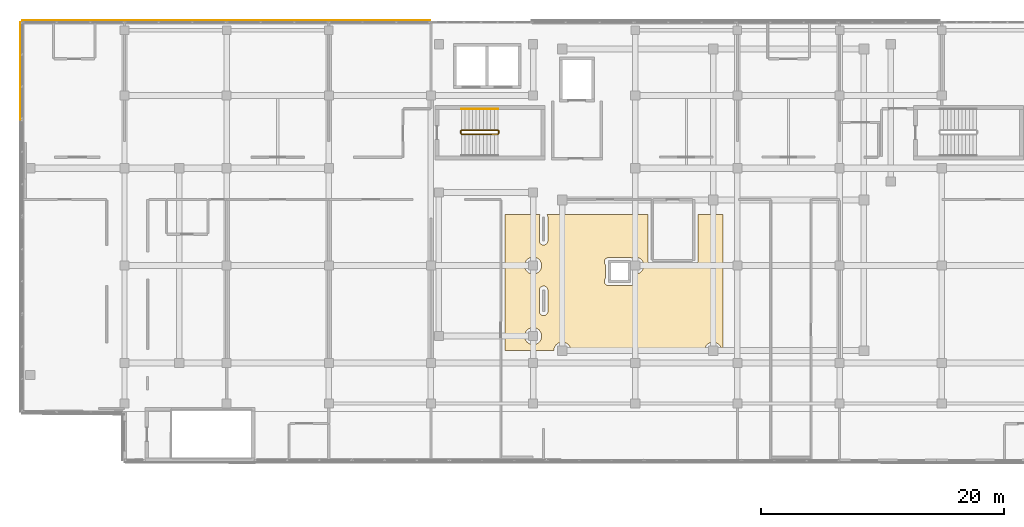
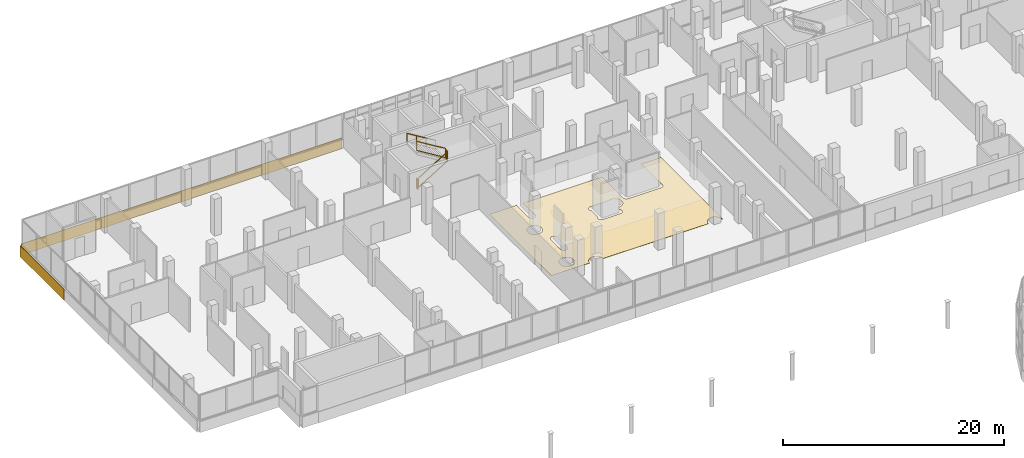
# One storey, part 96 of 101: 6 coverings, 5 railings.
"""IFC4 building model written with IfcOpenShell, lengths in metres."""

import ifcopenshell
import ifcopenshell.guid

model = None  # the IFC model being written
_history = None  # IfcOwnerHistory: only IFC2X3 demands one
_inside = {}  # id of a spatial element -> (the spatial element, [elements in it])
_under = {}  # id of a project, library or spatial element -> (it, [spatial elements below it])
_declared = {}  # id of a project -> (the project, [libraries it declares])
_typed = {}  # id of a type object -> (the type object, [elements of that type])
_made_of = {}  # id of a material, layer set ... -> (it, [elements and type objects made of it])


def new_model(schema):
    """Start an empty IFC model of exactly this schema.

    Asked for "IFC4X3", IfcOpenShell would pick the latest addendum, in which some entities
    have other attributes; the version numbers below select the first issue.
    IFC2X3 requires an IfcOwnerHistory on every rooted entity: one is made here for all.
    """
    global model, _history
    if schema == "IFC4X3":
        model = ifcopenshell.file(schema_version=(4, 3, 0, 0))
    else:
        model = ifcopenshell.file(schema=schema)
    _inside.clear()
    _under.clear()
    _declared.clear()
    _typed.clear()
    _made_of.clear()
    _history = None
    if model.schema == "IFC2X3":
        org = make("IfcOrganization", Name="unknown")
        user = make(
            "IfcPersonAndOrganization",
            ThePerson=make("IfcPerson", FamilyName="unknown"),
            TheOrganization=org,
        )
        app = make(
            "IfcApplication",
            ApplicationDeveloper=org,
            Version="unknown",
            ApplicationFullName="unknown",
            ApplicationIdentifier="unknown",
        )
        _history = make(
            "IfcOwnerHistory",
            OwningUser=user,
            OwningApplication=app,
            ChangeAction="ADDED",
            CreationDate=0,
        )
    return model


def make(cls, **values):
    """One entity of the class cls with the attributes given. An attribute that is None is left unset."""
    return model.create_entity(
        cls, **{name: value for name, value in values.items() if value is not None}
    )


def rooted(cls, **values):
    """An entity with a GlobalId (a new one), such as an element, a storey or a relation."""
    return make(cls, GlobalId=ifcopenshell.guid.new(), OwnerHistory=_history, **values)


def si_unit(unit_type, name, prefix=None):
    """IfcSIUnit, for example si_unit("LENGTHUNIT", "METRE", prefix="MILLI")."""
    return make("IfcSIUnit", UnitType=unit_type, Prefix=prefix, Name=name)


def assignment(units):
    """IfcUnitAssignment: the units of a project."""
    return None if units is None else make("IfcUnitAssignment", Units=units)


def point(xyz):
    """IfcCartesianPoint."""
    return None if xyz is None else make("IfcCartesianPoint", Coordinates=xyz)


def direction(xyz):
    """IfcDirection."""
    return None if xyz is None else make("IfcDirection", DirectionRatios=xyz)


def frame(location, z_axis=None, x_axis=None):
    """IfcAxis2Placement3D, a coordinate frame: its origin and axes. An axis left out is left unset."""
    return make(
        "IfcAxis2Placement3D",
        Location=point(location),
        Axis=direction(z_axis),
        RefDirection=direction(x_axis),
    )


def frame_2d(location, x_axis=None):
    """IfcAxis2Placement2D, a coordinate frame in the plane: its origin and x axis."""
    return make(
        "IfcAxis2Placement2D", Location=point(location), RefDirection=direction(x_axis)
    )


def origin():
    """The frame at (0, 0, 0) with its axes left unset."""
    return frame((0.0, 0.0, 0.0))


def origin_2d():
    """The frame at (0, 0) in the plane with its x axis left unset."""
    return frame_2d((0.0, 0.0))


def place(relative_to, where):
    """IfcLocalPlacement: puts the frame where relative to a parent placement (None: the world)."""
    return make(
        "IfcLocalPlacement", PlacementRelTo=relative_to, RelativePlacement=where
    )


def context(
    kind, dimensions, precision=None, world=None, true_north=None, identifier=None
):
    """IfcGeometricRepresentationContext, for example the 3D "Model" context."""
    return make(
        "IfcGeometricRepresentationContext",
        ContextIdentifier=identifier,
        ContextType=kind,
        CoordinateSpaceDimension=dimensions,
        Precision=precision,
        WorldCoordinateSystem=world,
        TrueNorth=true_north,
    )


def subcontext(parent, identifier, kind, view, scale=None):
    """IfcGeometricRepresentationSubContext, for example "Body" below "Model"."""
    return make(
        "IfcGeometricRepresentationSubContext",
        ContextIdentifier=identifier,
        ContextType=kind,
        ParentContext=parent,
        TargetScale=scale,
        TargetView=view,
    )


def project(units=None, contexts=None):
    """IfcProject with its units and contexts."""
    return rooted(
        "IfcProject",
        Name="project",
        RepresentationContexts=contexts,
        UnitsInContext=assignment(units),
    )


def spatial(cls, under=None, at=None, **own):
    """A site, building, storey or space (cls), placed at a placement, below another one or the project."""
    s = rooted(cls, ObjectPlacement=at, **own)
    if under is not None:
        _under.setdefault(under.id(), (under, []))[1].append(s)
    return s


def polyline(points):
    """IfcPolyline through the points."""
    return make("IfcPolyline", Points=[point(p) for p in points])


def profile(cls, at=None, kind="AREA", **sizes):
    """A parametric profile (cls). Its sizes go by their IFC names, for example OverallWidth=200.0."""
    return make(cls, ProfileType=kind, Position=at, **sizes)


def rectangle(**sizes):
    """IfcRectangleProfileDef."""
    return profile("IfcRectangleProfileDef", **sizes)


def circle(**sizes):
    """IfcCircleProfileDef."""
    return profile("IfcCircleProfileDef", **sizes)


def outline(outer, holes=None, kind="AREA"):
    """IfcArbitraryClosedProfileDef: a profile drawn as a closed curve; with holes, ...WithVoids."""
    if holes is None:
        return make("IfcArbitraryClosedProfileDef", ProfileType=kind, OuterCurve=outer)
    return make(
        "IfcArbitraryProfileDefWithVoids",
        ProfileType=kind,
        OuterCurve=outer,
        InnerCurves=holes,
    )


def extrude(swept, where, along, depth):
    """IfcExtrudedAreaSolid: the profile swept, set in the frame where, extruded along a direction by depth."""
    return make(
        "IfcExtrudedAreaSolid",
        SweptArea=swept,
        Position=where,
        ExtrudedDirection=direction(along),
        Depth=depth,
    )


def shape(context_of_items, identifier, shape_type, items):
    """IfcShapeRepresentation: the items that make up one representation, for example the "Body"."""
    return make(
        "IfcShapeRepresentation",
        ContextOfItems=context_of_items,
        RepresentationIdentifier=identifier,
        RepresentationType=shape_type,
        Items=items,
    )


def material(Name=None, Category=None):
    """IfcMaterial."""
    return make("IfcMaterial", Name=Name, Category=Category)


def layer(
    of_material, thickness, ventilated=None, Name=None, Category=None, Priority=None
):
    """IfcMaterialLayer: one layer of a wall or slab, of a material (None: an air gap)."""
    return make(
        "IfcMaterialLayer",
        Material=of_material,
        LayerThickness=thickness,
        IsVentilated=ventilated,
        Name=Name,
        Category=Category,
        Priority=Priority,
    )


def layer_set(layers, Name=None):
    """IfcMaterialLayerSet."""
    return make("IfcMaterialLayerSet", MaterialLayers=layers, LayerSetName=Name)


def made_of(thing, what):
    """Note that an element or type object is made of a material, layer set ...; save() writes the relation."""
    if what is not None:
        _made_of.setdefault(what.id(), (what, []))[1].append(thing)
    return thing


def type_object(cls, material=None, **own):
    """A type object (cls), such as IfcWallType, which elements share."""
    return made_of(rooted(cls, **own), material)


def element(
    cls,
    number,
    at=None,
    inside=None,
    cuts=None,
    type_object=None,
    material=None,
    context=None,
    identifier="Body",
    shape_type=None,
    held_by="IfcProductDefinitionShape",
    body=None,
    shapes=None,
    **own,
):
    """One element of the class cls, such as IfcWall. Its Tag is "e" and its number.

    at: its placement. inside: the storey or other place that contains it. cuts: it is an
    opening in that element (IfcRelVoidsElement). A single representation is given by context,
    identifier, shape_type and body (its items); several are given by shapes. held_by: the class
    of the entity that holds the representations. save() writes the other relations.
    """
    e = rooted(cls, Tag="e%d" % number, ObjectPlacement=at, **own)
    if body is not None:
        shapes = [shape(context, identifier, shape_type, body)]
    if shapes is not None:
        e.Representation = make(held_by, Representations=shapes)
    if inside is not None:
        _inside.setdefault(inside.id(), (inside, []))[1].append(e)
    if cuts is not None:
        rooted(
            "IfcRelVoidsElement", RelatingBuildingElement=cuts, RelatedOpeningElement=e
        )
    if type_object is not None:
        _typed.setdefault(type_object.id(), (type_object, []))[1].append(e)
    return made_of(e, material)


def aggregate(whole, parts):
    """IfcRelAggregates: a whole, such as a stair, and the parts it consists of."""
    return rooted("IfcRelAggregates", RelatingObject=whole, RelatedObjects=parts)


def save(model, path):
    """Write the relations noted so far, then the file.

    IfcRelAggregates (storeys below a building ...), IfcRelContainedInSpatialStructure (elements
    in a storey), IfcRelDefinesByType, IfcRelAssociatesMaterial and IfcRelDeclares: one each for
    every whole, place, type object, material and project.
    """
    for whole, parts in _under.values():
        aggregate(whole, parts)
    for where, things in _inside.values():
        rooted(
            "IfcRelContainedInSpatialStructure",
            RelatedElements=things,
            RelatingStructure=where,
        )
    for kind, things in _typed.values():
        rooted("IfcRelDefinesByType", RelatedObjects=things, RelatingType=kind)
    for what, things in _made_of.values():
        rooted("IfcRelAssociatesMaterial", RelatedObjects=things, RelatingMaterial=what)
    for by, libraries in _declared.values():
        rooted("IfcRelDeclares", RelatingContext=by, RelatedDefinitions=libraries)
    model.write(path)


model = new_model("IFC4")

# Units and contexts
model_context = context("Model", 3, precision=1e-05, world=origin(), true_north=direction((0.0, 1.0)))
body_context = subcontext(model_context, "Body", "Model", "MODEL_VIEW")
ifc_project = project(units=[si_unit("LENGTHUNIT", "METRE"), si_unit("AREAUNIT", "SQUARE_METRE"), si_unit("VOLUMEUNIT", "CUBIC_METRE"), si_unit("PLANEANGLEUNIT", "RADIAN"), si_unit("MASSUNIT", "GRAM", prefix="KILO")], contexts=[model_context])

# Site, building, storey
site_placement = place(None, origin())
site = spatial("IfcSite", under=ifc_project, at=site_placement, CompositionType="ELEMENT")
building_placement = place(site_placement, origin())
building = spatial("IfcBuilding", under=site, at=building_placement, Name="Selatvlak General Hospital", CompositionType="ELEMENT")
storey_placement = place(building_placement, frame((0.0, 0.0, 19.199951171875)))
storey = spatial("IfcBuildingStorey", under=building, at=storey_placement, Name="L04", CompositionType="ELEMENT", Elevation=19.199951171875)

# Coverings
ifc_material_1 = material(Name="Homogeneous anti-static hospital vinyl flooring")
ifc_layer_1 = layer(ifc_material_1, 0.014892578125, Name="Homogeneous anti-static hospital vinyl flooring")
ifc_layer_set_1 = layer_set([ifc_layer_1], Name="Homogeneous anti-static hospital vinyl flooring")
covering_type_1 = type_object("IfcCoveringType", Name="COV-FLR1", PredefinedType="FLOORING", material=ifc_layer_set_1)
covering_1_placement = place(storey_placement, origin())
element("IfcCovering", 1, at=covering_1_placement, inside=storey, type_object=covering_type_1, Name="L04 seamless vinyl flooring 009", PredefinedType="FLOORING", context=body_context, shape_type="SweptSolid", body=[
    extrude(outline(polyline([(57.0009765625, 104.199951171875), (56.968994140625, 104.158935546875), (56.950927734375, 104.1298828125), (56.93701171875, 104.09912109375), (56.925048828125, 104.06689453125), (56.9169921875, 104.032958984375), (56.912109375, 103.9990234375), (56.909912109375, 103.965087890625), (56.909912109375, 102.034912109375), (56.912109375, 102.0009765625), (56.9169921875, 101.967041015625), (56.925048828125, 101.93310546875), (56.93701171875, 101.90087890625), (56.950927734375, 101.8701171875), (56.968994140625, 101.841064453125), (56.989013671875, 101.81298828125), (57.012939453125, 101.7880859375), (57.0380859375, 101.763916015625), (57.06591796875, 101.743896484375), (57.094970703125, 101.72607421875), (57.1259765625, 101.7119140625), (57.157958984375, 101.699951171875), (57.19189453125, 101.69189453125), (57.22607421875, 101.68701171875), (57.260009765625, 101.68505859375), (57.2939453125, 101.68701171875), (57.327880859375, 101.69189453125), (57.362060546875, 101.699951171875), (57.39404296875, 101.7119140625), (57.425048828125, 101.72607421875), (57.4541015625, 101.743896484375), (57.48193359375, 101.763916015625), (57.507080078125, 101.7880859375), (57.531005859375, 101.81298828125), (57.551025390625, 101.841064453125), (57.569091796875, 101.8701171875), (57.5830078125, 101.90087890625), (57.594970703125, 101.93310546875), (57.60302734375, 101.967041015625), (57.60791015625, 102.0009765625), (57.610107421875, 102.034912109375), (57.610107421875, 103.965087890625), (57.60791015625, 103.9990234375), (57.60302734375, 104.032958984375), (57.594970703125, 104.06689453125), (57.5830078125, 104.09912109375), (57.569091796875, 104.1298828125), (57.551025390625, 104.158935546875), (57.531005859375, 104.18701171875), (65.85009765625, 104.199951171875), (65.85009765625, 100.47900390625), (65.85205078125, 100.445068359375), (65.85009765625, 100.39990234375), (65.85205078125, 100.365966796875), (65.85693359375, 100.33203125), (65.864990234375, 100.298095703125), (65.876953125, 100.26611328125), (65.89111328125, 100.235107421875), (65.908935546875, 100.2060546875), (65.928955078125, 100.177978515625), (65.952880859375, 100.153076171875), (65.97802734375, 100.12890625), (66.006103515625, 100.10888671875), (66.034912109375, 100.091064453125), (66.06591796875, 100.076904296875), (66.097900390625, 100.06494140625), (66.132080078125, 100.056884765625), (66.166015625, 100.052001953125), (66.199951171875, 100.050048828125), (69.513916015625, 100.050048828125), (69.548095703125, 100.052001953125), (69.60009765625, 100.050048828125), (69.634033203125, 100.052001953125), (69.66796875, 100.056884765625), (69.701904296875, 100.06494140625), (69.73388671875, 100.076904296875), (69.764892578125, 100.091064453125), (69.7939453125, 100.10888671875), (69.822021484375, 100.12890625), (69.846923828125, 100.153076171875), (69.87109375, 100.177978515625), (69.89111328125, 100.2060546875), (69.908935546875, 100.235107421875), (69.923095703125, 100.26611328125), (69.93505859375, 100.298095703125), (69.943115234375, 100.33203125), (69.947998046875, 100.365966796875), (69.949951171875, 100.39990234375), (69.949951171875, 104.199951171875), (72.0, 104.199951171875), (72.0, 93.0), (71.89990234375, 93.0), (71.89697265625, 93.069091796875), (71.886962890625, 93.136962890625), (71.8701171875, 93.202880859375), (71.846923828125, 93.26806640625), (71.81689453125, 93.330078125), (71.781982421875, 93.388916015625), (71.740966796875, 93.444091796875), (71.695068359375, 93.4951171875), (71.64404296875, 93.541015625), (71.589111328125, 93.58203125), (71.530029296875, 93.616943359375), (71.468017578125, 93.64697265625), (71.403076171875, 93.669921875), (71.3369140625, 93.68701171875), (71.26904296875, 93.697021484375), (71.199951171875, 93.699951171875), (71.131103515625, 93.697021484375), (71.06298828125, 93.68701171875), (70.9970703125, 93.669921875), (70.931884765625, 93.64697265625), (70.8701171875, 93.616943359375), (70.81103515625, 93.58203125), (70.756103515625, 93.541015625), (70.705078125, 93.4951171875), (70.658935546875, 93.444091796875), (70.617919921875, 93.388916015625), (70.5830078125, 93.330078125), (70.552978515625, 93.26806640625), (70.530029296875, 93.202880859375), (70.512939453125, 93.136962890625), (70.5029296875, 93.069091796875), (70.5, 93.0), (59.5, 93.0), (59.4970703125, 93.069091796875), (59.487060546875, 93.136962890625), (59.469970703125, 93.202880859375), (59.447021484375, 93.26806640625), (59.4169921875, 93.330078125), (59.382080078125, 93.388916015625), (59.341064453125, 93.444091796875), (59.294921875, 93.4951171875), (59.243896484375, 93.541015625), (59.18896484375, 93.58203125), (59.1298828125, 93.616943359375), (59.068115234375, 93.64697265625), (59.0029296875, 93.669921875), (58.93701171875, 93.68701171875), (58.868896484375, 93.697021484375), (58.800048828125, 93.699951171875), (58.73095703125, 93.697021484375), (58.6630859375, 93.68701171875), (58.596923828125, 93.669921875), (58.531982421875, 93.64697265625), (58.469970703125, 93.616943359375), (58.410888671875, 93.58203125), (58.35595703125, 93.541015625), (58.304931640625, 93.4951171875), (58.259033203125, 93.444091796875), (58.218017578125, 93.388916015625), (58.18310546875, 93.330078125), (58.153076171875, 93.26806640625), (58.1298828125, 93.202880859375), (58.113037109375, 93.136962890625), (58.10302734375, 93.069091796875), (58.10009765625, 93.0), (54.090087890625, 93.0), (54.090087890625, 104.199951171875), (57.0009765625, 104.199951171875)]), holes=[polyline([(56.89501953125, 99.5048828125), (56.94091796875, 99.555908203125), (56.98193359375, 99.611083984375), (57.01708984375, 99.669921875), (57.047119140625, 99.73193359375), (57.070068359375, 99.797119140625), (57.0869140625, 99.863037109375), (57.096923828125, 99.930908203125), (57.10009765625, 100.0), (57.096923828125, 100.069091796875), (57.0869140625, 100.136962890625), (57.070068359375, 100.202880859375), (57.047119140625, 100.26806640625), (57.01708984375, 100.330078125), (56.98193359375, 100.388916015625), (56.94091796875, 100.444091796875), (56.89501953125, 100.4951171875), (56.843994140625, 100.541015625), (56.7890625, 100.58203125), (56.72998046875, 100.616943359375), (56.66796875, 100.64697265625), (56.60302734375, 100.669921875), (56.537109375, 100.68701171875), (56.468994140625, 100.697021484375), (56.39990234375, 100.699951171875), (56.3310546875, 100.697021484375), (56.262939453125, 100.68701171875), (56.197021484375, 100.669921875), (56.132080078125, 100.64697265625), (56.070068359375, 100.616943359375), (56.010986328125, 100.58203125), (55.9560546875, 100.541015625), (55.905029296875, 100.4951171875), (55.85888671875, 100.444091796875), (55.818115234375, 100.388916015625), (55.782958984375, 100.330078125), (55.7529296875, 100.26806640625), (55.72998046875, 100.202880859375), (55.712890625, 100.136962890625), (55.702880859375, 100.069091796875), (55.699951171875, 100.0), (55.702880859375, 99.930908203125), (55.712890625, 99.863037109375), (55.72998046875, 99.797119140625), (55.7529296875, 99.73193359375), (55.782958984375, 99.669921875), (55.818115234375, 99.611083984375), (55.85888671875, 99.555908203125), (55.905029296875, 99.5048828125), (55.9560546875, 99.458984375), (56.010986328125, 99.41796875), (56.070068359375, 99.383056640625), (56.132080078125, 99.35302734375), (56.197021484375, 99.330078125), (56.262939453125, 99.31298828125), (56.3310546875, 99.302978515625), (56.39990234375, 99.300048828125), (56.468994140625, 99.302978515625), (56.537109375, 99.31298828125), (56.60302734375, 99.330078125), (56.66796875, 99.35302734375), (56.72998046875, 99.383056640625), (56.7890625, 99.41796875), (56.843994140625, 99.458984375), (56.89501953125, 99.5048828125)]), polyline([(56.89501953125, 93.705078125), (56.94091796875, 93.756103515625), (56.98193359375, 93.81103515625), (57.01708984375, 93.8701171875), (57.047119140625, 93.931884765625), (57.070068359375, 93.9970703125), (57.0869140625, 94.06298828125), (57.096923828125, 94.131103515625), (57.10009765625, 94.199951171875), (57.096923828125, 94.26904296875), (57.0869140625, 94.3369140625), (57.070068359375, 94.403076171875), (57.047119140625, 94.468017578125), (57.01708984375, 94.530029296875), (56.98193359375, 94.589111328125), (56.94091796875, 94.64404296875), (56.89501953125, 94.695068359375), (56.843994140625, 94.740966796875), (56.7890625, 94.781982421875), (56.72998046875, 94.81689453125), (56.66796875, 94.846923828125), (56.60302734375, 94.8701171875), (56.537109375, 94.886962890625), (56.468994140625, 94.89697265625), (56.39990234375, 94.89990234375), (56.3310546875, 94.89697265625), (56.262939453125, 94.886962890625), (56.197021484375, 94.8701171875), (56.132080078125, 94.846923828125), (56.070068359375, 94.81689453125), (56.010986328125, 94.781982421875), (55.9560546875, 94.740966796875), (55.905029296875, 94.695068359375), (55.85888671875, 94.64404296875), (55.818115234375, 94.589111328125), (55.782958984375, 94.530029296875), (55.7529296875, 94.468017578125), (55.72998046875, 94.403076171875), (55.712890625, 94.3369140625), (55.702880859375, 94.26904296875), (55.699951171875, 94.199951171875), (55.702880859375, 94.131103515625), (55.712890625, 94.06298828125), (55.72998046875, 93.9970703125), (55.7529296875, 93.931884765625), (55.782958984375, 93.8701171875), (55.818115234375, 93.81103515625), (55.85888671875, 93.756103515625), (55.905029296875, 93.705078125), (55.9560546875, 93.658935546875), (56.010986328125, 93.617919921875), (56.070068359375, 93.5830078125), (56.132080078125, 93.552978515625), (56.197021484375, 93.530029296875), (56.262939453125, 93.512939453125), (56.3310546875, 93.5029296875), (56.39990234375, 93.5), (56.468994140625, 93.5029296875), (56.537109375, 93.512939453125), (56.60302734375, 93.530029296875), (56.66796875, 93.552978515625), (56.72998046875, 93.5830078125), (56.7890625, 93.617919921875), (56.843994140625, 93.658935546875), (56.89501953125, 93.705078125)]), polyline([(65.294921875, 99.5048828125), (65.341064453125, 99.555908203125), (65.382080078125, 99.611083984375), (65.4169921875, 99.669921875), (65.447021484375, 99.73193359375), (65.469970703125, 99.797119140625), (65.487060546875, 99.863037109375), (65.4970703125, 99.930908203125), (65.5, 100.0), (65.4970703125, 100.069091796875), (65.487060546875, 100.136962890625), (65.469970703125, 100.202880859375), (65.447021484375, 100.26806640625), (65.4169921875, 100.330078125), (65.382080078125, 100.388916015625), (65.341064453125, 100.444091796875), (65.294921875, 100.4951171875), (65.243896484375, 100.541015625), (65.18896484375, 100.58203125), (65.1298828125, 100.616943359375), (65.068115234375, 100.64697265625), (65.0029296875, 100.669921875), (64.93701171875, 100.68701171875), (64.868896484375, 100.697021484375), (64.800048828125, 100.699951171875), (64.73095703125, 100.697021484375), (64.6630859375, 100.68701171875), (64.596923828125, 100.669921875), (64.531982421875, 100.64697265625), (64.5048828125, 100.634033203125), (64.468017578125, 100.64306640625), (64.43408203125, 100.64794921875), (64.39990234375, 100.64990234375), (62.60009765625, 100.64990234375), (62.56591796875, 100.64794921875), (62.531982421875, 100.64306640625), (62.498046875, 100.635009765625), (62.466064453125, 100.623046875), (62.43505859375, 100.60888671875), (62.406005859375, 100.591064453125), (62.3779296875, 100.571044921875), (62.35302734375, 100.547119140625), (62.3291015625, 100.52197265625), (62.30908203125, 100.493896484375), (62.291015625, 100.465087890625), (62.277099609375, 100.43408203125), (62.264892578125, 100.402099609375), (62.257080078125, 100.367919921875), (62.251953125, 100.333984375), (62.25, 100.300048828125), (62.251953125, 100.26611328125), (62.257080078125, 100.23193359375), (62.264892578125, 100.197998046875), (62.277099609375, 100.166015625), (62.291015625, 100.135009765625), (62.30908203125, 100.10595703125), (62.3291015625, 100.077880859375), (62.35009765625, 100.054931640625), (62.35009765625, 98.945068359375), (62.3291015625, 98.922119140625), (62.30908203125, 98.89404296875), (62.291015625, 98.864990234375), (62.277099609375, 98.833984375), (62.264892578125, 98.802001953125), (62.257080078125, 98.76806640625), (62.251953125, 98.73388671875), (62.25, 98.699951171875), (62.251953125, 98.666015625), (62.257080078125, 98.632080078125), (62.264892578125, 98.597900390625), (62.277099609375, 98.56591796875), (62.291015625, 98.534912109375), (62.30908203125, 98.506103515625), (62.3291015625, 98.47802734375), (62.35302734375, 98.452880859375), (62.3779296875, 98.428955078125), (62.406005859375, 98.408935546875), (62.43505859375, 98.39111328125), (62.466064453125, 98.376953125), (62.498046875, 98.364990234375), (62.531982421875, 98.35693359375), (62.56591796875, 98.35205078125), (62.60009765625, 98.35009765625), (64.39990234375, 98.35009765625), (64.43408203125, 98.35205078125), (64.468017578125, 98.35693359375), (64.501953125, 98.364990234375), (64.533935546875, 98.376953125), (64.56494140625, 98.39111328125), (64.593994140625, 98.408935546875), (64.6220703125, 98.428955078125), (64.64697265625, 98.452880859375), (64.6708984375, 98.47802734375), (64.69091796875, 98.506103515625), (64.708984375, 98.534912109375), (64.722900390625, 98.56591796875), (64.735107421875, 98.597900390625), (64.742919921875, 98.632080078125), (64.748046875, 98.666015625), (64.75, 98.699951171875), (64.748046875, 98.73388671875), (64.742919921875, 98.76806640625), (64.735107421875, 98.802001953125), (64.722900390625, 98.833984375), (64.708984375, 98.864990234375), (64.69091796875, 98.89404296875), (64.6708984375, 98.922119140625), (64.64990234375, 98.945068359375), (64.64990234375, 99.31689453125), (64.73095703125, 99.302978515625), (64.800048828125, 99.300048828125), (64.868896484375, 99.302978515625), (64.93701171875, 99.31298828125), (65.0029296875, 99.330078125), (65.068115234375, 99.35302734375), (65.1298828125, 99.383056640625), (65.18896484375, 99.41796875), (65.243896484375, 99.458984375), (65.294921875, 99.5048828125)]), polyline([(57.012939453125, 98.2119140625), (56.989013671875, 98.18701171875), (56.968994140625, 98.158935546875), (56.950927734375, 98.1298828125), (56.93701171875, 98.09912109375), (56.925048828125, 98.06689453125), (56.9169921875, 98.032958984375), (56.912109375, 97.9990234375), (56.909912109375, 97.965087890625), (56.909912109375, 96.235107421875), (56.912109375, 96.200927734375), (56.9169921875, 96.1669921875), (56.925048828125, 96.133056640625), (56.93701171875, 96.10107421875), (56.950927734375, 96.070068359375), (56.968994140625, 96.041015625), (56.989013671875, 96.012939453125), (57.012939453125, 95.988037109375), (57.0380859375, 95.964111328125), (57.06591796875, 95.944091796875), (57.094970703125, 95.926025390625), (57.1259765625, 95.912109375), (57.157958984375, 95.89990234375), (57.19189453125, 95.89208984375), (57.22607421875, 95.886962890625), (57.260009765625, 95.885009765625), (57.2939453125, 95.886962890625), (57.327880859375, 95.89208984375), (57.362060546875, 95.89990234375), (57.39404296875, 95.912109375), (57.425048828125, 95.926025390625), (57.4541015625, 95.944091796875), (57.48193359375, 95.964111328125), (57.507080078125, 95.988037109375), (57.531005859375, 96.012939453125), (57.551025390625, 96.041015625), (57.569091796875, 96.070068359375), (57.5830078125, 96.10107421875), (57.594970703125, 96.133056640625), (57.60302734375, 96.1669921875), (57.60791015625, 96.200927734375), (57.610107421875, 96.235107421875), (57.610107421875, 97.965087890625), (57.60791015625, 97.9990234375), (57.60302734375, 98.032958984375), (57.594970703125, 98.06689453125), (57.5830078125, 98.09912109375), (57.569091796875, 98.1298828125), (57.551025390625, 98.158935546875), (57.531005859375, 98.18701171875), (57.507080078125, 98.2119140625), (57.48193359375, 98.236083984375), (57.4541015625, 98.256103515625), (57.425048828125, 98.27392578125), (57.39404296875, 98.2880859375), (57.362060546875, 98.300048828125), (57.327880859375, 98.30810546875), (57.2939453125, 98.31298828125), (57.260009765625, 98.31494140625), (57.22607421875, 98.31298828125), (57.19189453125, 98.30810546875), (57.157958984375, 98.300048828125), (57.1259765625, 98.2880859375), (57.094970703125, 98.27392578125), (57.06591796875, 98.256103515625), (57.0380859375, 98.236083984375), (57.012939453125, 98.2119140625)])]), origin(), (0.0, 0.0, 1.0), 0.01513671875),
])
ifc_material_2 = material(Name="White Bauhaus fair-faced cladding panel")
ifc_layer_2 = layer(ifc_material_2, 0.054931640625, Name="White Bauhaus fair-faced cladding panel")
ifc_layer_set_2 = layer_set([ifc_layer_2], Name="White Bauhaus fair-faced cladding panel")
covering_type_2 = type_object("IfcCoveringType", Name="COV-WHT1", PredefinedType="CLADDING", material=ifc_layer_set_2)
covering_2_placement = place(storey_placement, frame((14.235107421875, 115.9990234375, -0.27978515625), z_axis=(0.0, 0.0, 1.0), x_axis=(0.0, 1.0, 0.0)))
element("IfcCovering", 2, at=covering_2_placement, inside=storey, type_object=covering_type_2, Name="L04 Bauhaus horizontal white spandrel band 0298", PredefinedType="CLADDING", context=body_context, shape_type="SweptSolid", body=[
    extrude(rectangle(XDim=8.0, YDim=0.054931640625, at=origin_2d()), origin(), (0.0, 0.0, 1.0), 1.219970703125),
])
for number, where, z_axis, x_axis, name in (
    (3, (18.590087890625, 120.1640625, -0.27978515625), (0.0, 0.0, 1.0), (1.0, 0.0, 0.0), "L04 Bauhaus horizontal white spandrel band 0299"),
    (4, (26.969970703125, 120.1640625, -0.27978515625), (0.0, 0.0, 1.0), (1.0, 0.0, 0.0), "L04 Bauhaus horizontal white spandrel band 0300"),
    (5, (35.35009765625, 120.1640625, -0.27978515625), (0.0, 0.0, 1.0), (1.0, 0.0, 0.0), "L04 Bauhaus horizontal white spandrel band 0301"),
    (6, (43.72998046875, 120.1640625, -0.27978515625), (0.0, 0.0, 1.0), (1.0, 0.0, 0.0), "L04 Bauhaus horizontal white spandrel band 0302"),
):
    element("IfcCovering", number, at=place(storey_placement, frame(where, z_axis=z_axis, x_axis=x_axis)), inside=storey, type_object=covering_type_2, Name=name, PredefinedType="CLADDING", context=body_context, shape_type="SweptSolid", body=[
        extrude(rectangle(XDim=8.3798828125, YDim=0.054931640625, at=origin_2d()), origin(), (0.0, 0.0, 1.0), 1.219970703125),
    ])

# Railings
ifc_material_3 = material(Name="Stainless steel 316 stair guard", Category="steel")
railing_type_1 = type_object("IfcRailingType", Name="RAIL-STG", PredefinedType="GUARDRAIL", material=ifc_material_3)
railing_1_placement = place(storey_placement, frame((50.510009765625, 110.81005859375, 0.18408203125)))
element("IfcRailing", 7, at=railing_1_placement, inside=storey, type_object=railing_type_1, Name="L04 ST-01 stair guard 1", PredefinedType="GUARDRAIL", context=body_context, shape_type="SweptSolid", body=[
    extrude(rectangle(XDim=0.068115234375, YDim=0.068115234375, at=origin_2d()), frame((0.00244140625, 0.0, 1.067626953125), z_axis=(0.852303052018, 0.0, 0.52304828412), x_axis=(0.0, 1.0, 0.0)), (0.0, 0.0, 1.0), 3.513916015625),
    extrude(rectangle(XDim=0.068115234375, YDim=0.068115234375, at=origin_2d()), frame((0.00244140625, 0.0, 0.050537109375), z_axis=(0.852303052018, 0.0, 0.52304828412), x_axis=(0.0, 1.0, 0.0)), (0.0, 0.0, 1.0), 3.513916015625),
    extrude(rectangle(XDim=0.055908203125, YDim=0.055908203125, at=origin_2d()), origin(), (0.0, 0.0, 1.0), 1.029052734375),
    extrude(rectangle(XDim=0.055908203125, YDim=0.055908203125, at=origin_2d()), frame((3.0, 0.0, 1.841064453125)), (0.0, 0.0, 1.0), 1.029052734375),
])
railing_2_placement = place(storey_placement, frame((53.56005859375, 110.860107421875, 2.025146484375)))
element("IfcRailing", 8, at=railing_2_placement, inside=storey, type_object=railing_type_1, Name="L04 ST-01 stair guard 2", PredefinedType="GUARDRAIL", context=body_context, shape_type="SweptSolid", body=[
    extrude(rectangle(XDim=0.068115234375, YDim=0.068115234375, at=origin_2d()), frame((0.0, 0.0029296875, 1.06591796875), z_axis=(0.0, 1.0, 0.0), x_axis=(-1.0, 0.0, 0.0)), (0.0, 0.0, 1.0), 0.214111328125),
    extrude(rectangle(XDim=0.068115234375, YDim=0.068115234375, at=origin_2d()), frame((0.0, 0.0029296875, 0.049072265625), z_axis=(0.0, 1.0, 0.0), x_axis=(-1.0, 0.0, 0.0)), (0.0, 0.0, 1.0), 0.214111328125),
    extrude(rectangle(XDim=0.055908203125, YDim=0.055908203125, at=origin_2d()), origin(), (0.0, 0.0, 1.0), 1.029052734375),
    extrude(rectangle(XDim=0.055908203125, YDim=0.055908203125, at=origin_2d()), frame((0.0, 0.219970703125, 0.0)), (0.0, 0.0, 1.0), 1.029052734375),
])
railing_3_placement = place(storey_placement, frame((53.510009765625, 111.1298828125, 2.209228515625)))
element("IfcRailing", 9, at=railing_3_placement, inside=storey, type_object=railing_type_1, Name="L04 ST-01 stair guard 3", PredefinedType="GUARDRAIL", context=body_context, shape_type="SweptSolid", body=[
    extrude(rectangle(XDim=0.068115234375, YDim=0.068115234375, at=origin_2d()), frame((-0.00244140625, 0.0, 1.067626953125), z_axis=(-0.852333972304, 0.0, 0.522997896417), x_axis=(0.0, -1.0, 0.0)), (0.0, 0.0, 1.0), 3.513916015625),
    extrude(rectangle(XDim=0.068115234375, YDim=0.068115234375, at=origin_2d()), frame((-0.00244140625, 0.0, 0.050537109375), z_axis=(-0.852333972304, 0.0, 0.522997896417), x_axis=(0.0, -1.0, 0.0)), (0.0, 0.0, 1.0), 3.513916015625),
    extrude(rectangle(XDim=0.055908203125, YDim=0.055908203125, at=origin_2d()), origin(), (0.0, 0.0, 1.0), 1.029052734375),
    extrude(rectangle(XDim=0.055908203125, YDim=0.055908203125, at=origin_2d()), frame((-3.0, 0.0, 1.8408203125)), (0.0, 0.0, 1.0), 1.029052734375),
])
railing_4_placement = place(storey_placement, frame((50.4599609375, 110.860107421875, 0.0)))
element("IfcRailing", 10, at=railing_4_placement, inside=storey, type_object=railing_type_1, Name="L04 ST-01 stair guard 4", PredefinedType="GUARDRAIL", context=body_context, shape_type="SweptSolid", body=[
    extrude(rectangle(XDim=0.068115234375, YDim=0.068115234375, at=origin_2d()), frame((0.0, 0.0029296875, 1.06591796875), z_axis=(0.0, 1.0, 0.0), x_axis=(-1.0, 0.0, 0.0)), (0.0, 0.0, 1.0), 0.214111328125),
    extrude(rectangle(XDim=0.068115234375, YDim=0.068115234375, at=origin_2d()), frame((0.0, 0.0029296875, 0.049072265625), z_axis=(0.0, 1.0, 0.0), x_axis=(-1.0, 0.0, 0.0)), (0.0, 0.0, 1.0), 0.214111328125),
    extrude(rectangle(XDim=0.055908203125, YDim=0.055908203125, at=origin_2d()), origin(), (0.0, 0.0, 1.0), 1.029052734375),
    extrude(rectangle(XDim=0.055908203125, YDim=0.055908203125, at=origin_2d()), frame((0.0, 0.219970703125, 0.0)), (0.0, 0.0, 1.0), 1.029052734375),
])
ifc_material_4 = material(Name="Stainless steel 316 handrail", Category="steel")
railing_type_2 = type_object("IfcRailingType", Name="RAIL-STH", PredefinedType="HANDRAIL", material=ifc_material_4)
railing_5_placement = place(storey_placement, frame((53.510009765625, 112.889892578125, 2.209228515625)))
element("IfcRailing", 11, at=railing_5_placement, inside=storey, type_object=railing_type_2, Name="L04 ST-01 stair handrail 2", PredefinedType="HANDRAIL", context=body_context, shape_type="SweptSolid", body=[
    extrude(circle(Radius=0.02392578125, at=origin_2d()), frame((-0.00244140625, 0.0, 0.87744140625), z_axis=(-0.852333972304, 0.0, 0.522997896417), x_axis=(0.0, -1.0, 0.0)), (0.0, 0.0, 1.0), 3.513916015625),
    extrude(circle(Radius=0.02099609375, at=origin_2d()), origin(), (0.0, 0.0, 1.0), 0.848876953125),
    extrude(circle(Radius=0.02099609375, at=origin_2d()), frame((-1.0, 0.0, 0.613525390625)), (0.0, 0.0, 1.0), 0.848876953125),
    extrude(circle(Radius=0.02099609375, at=origin_2d()), frame((-2.0, 0.0, 1.227294921875)), (0.0, 0.0, 1.0), 0.848876953125),
    extrude(circle(Radius=0.02099609375, at=origin_2d()), frame((-3.0, 0.0, 1.8408203125)), (0.0, 0.0, 1.0), 0.848876953125),
])

save(model, "model.ifc")
